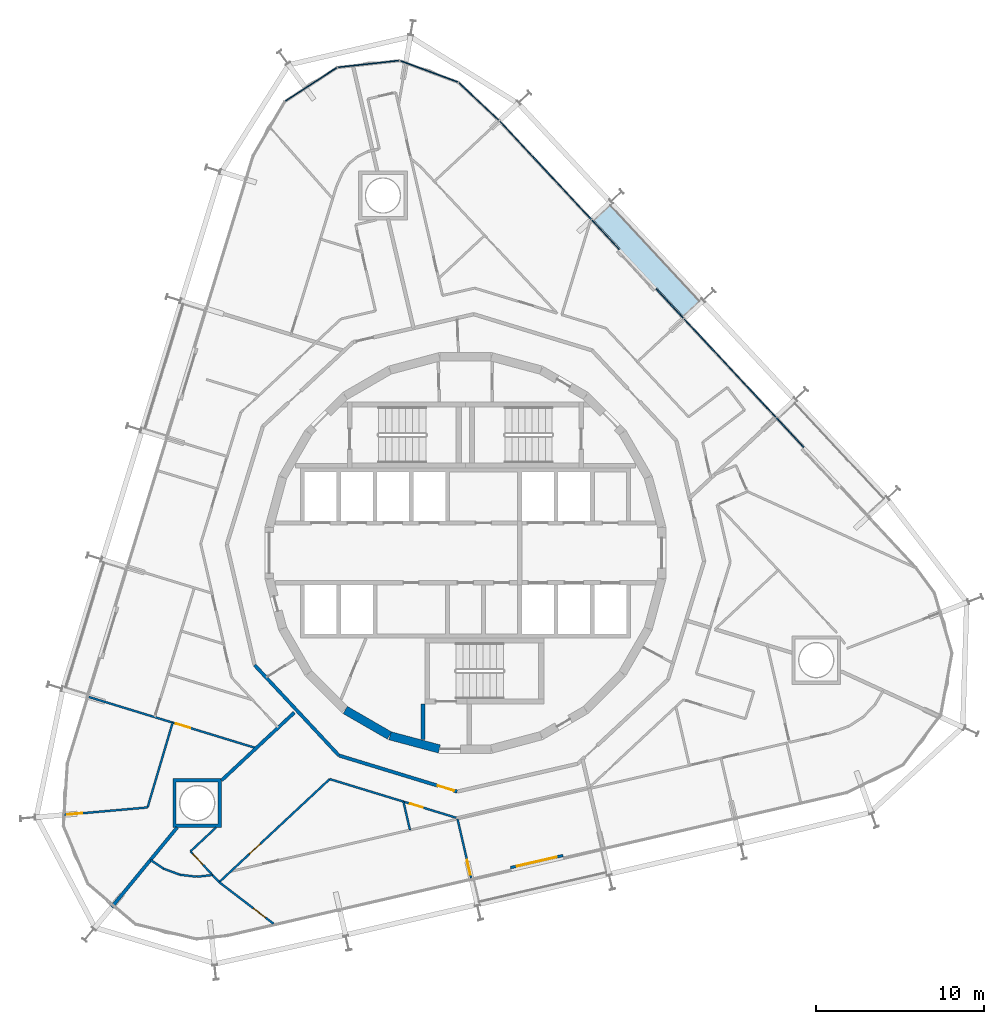
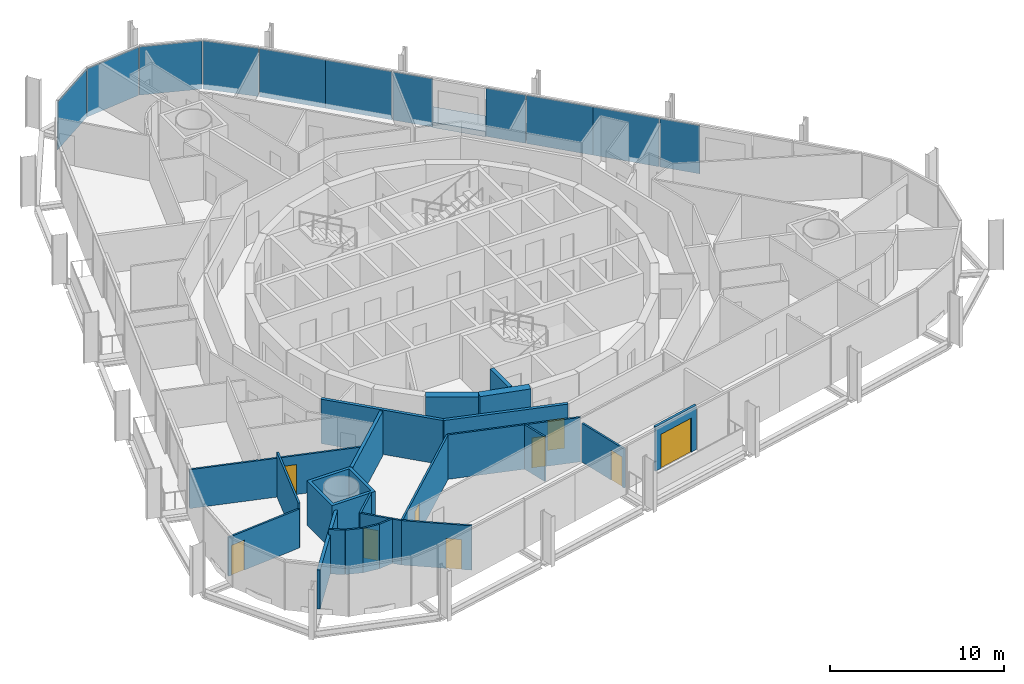
# One storey, part 11 of 18: 23 walls, 11 plates, 9 doors, 1 slab, 9 openings, 2 elements without a shape of their own.
"""IFC4 building model written with IfcOpenShell, lengths in metres."""

from ifc_helpers import new_model, si_unit, direction, frame, frame_2d, origin, origin_2d, place, context, subcontext, project, spatial, polyline, rectangle, outline, extrude, material, layer, layer_set, type_object, element, fill, aggregate, save


model = new_model("IFC4")

# Units and contexts
model_context = context("Model", 3, precision=1e-05, world=origin(), true_north=direction((0.0, 1.0)))
body_context = subcontext(model_context, "Body", "Model", "MODEL_VIEW")
ifc_project = project(units=[si_unit("LENGTHUNIT", "METRE"), si_unit("AREAUNIT", "SQUARE_METRE"), si_unit("VOLUMEUNIT", "CUBIC_METRE"), si_unit("PLANEANGLEUNIT", "RADIAN"), si_unit("MASSUNIT", "GRAM", prefix="KILO")], contexts=[model_context])

# Site, building, storey
site_placement = place(None, origin())
site = spatial("IfcSite", under=ifc_project, at=site_placement, CompositionType="ELEMENT")
building_placement = place(site_placement, origin())
building = spatial("IfcBuilding", under=site, at=building_placement, Name="Spindle Arch Residences", CompositionType="ELEMENT")
storey_placement = place(building_placement, frame((0.0, 0.0, 123.89990234375)))
storey = spatial("IfcBuildingStorey", under=building, at=storey_placement, Name="L30", CompositionType="ELEMENT", Elevation=123.89990234375)

# Slab
ifc_material_1 = material(Name="Concrete C40/50", Category="concrete")
ifc_layer_1 = layer(ifc_material_1, 0.3798828125)
ifc_layer_set_1 = layer_set([ifc_layer_1], Name="Balcony slab 380")
slab_type = type_object("IfcSlabType", Name="Balcony slab 380", PredefinedType="FLOOR", material=ifc_layer_set_1)
slab_placement = place(storey_placement, frame((0.0, 0.0, -0.3798828125)))
element("IfcSlab", 1, at=slab_placement, inside=storey, type_object=slab_type, Name="Balcony L30 bay 8", PredefinedType="FLOOR", context=body_context, shape_type="SweptSolid", body=[
    extrude(outline(polyline([(14.058837890625, 15.04248046875), (14.0078125, 15.09716796875), (13.89794921875, 14.994873046875), (8.626708984375, 20.647705078125), (8.736328125, 20.75), (8.685302734375, 20.804931640625), (7.595458984375, 19.78857421875), (9.191162109375, 18.07763671875), (9.07421875, 17.968505859375), (11.256591796875, 15.628173828125), (11.37353515625, 15.7373046875), (12.96923828125, 14.026123046875), (14.058837890625, 15.04248046875)])), origin(), (0.0, 0.0, 1.0), 0.3798828125),
])

# Curtain wall, plates
ifc_material_2 = material(Name="Aluminium bronze unitised frame with tinted glass", Category="aluminium")
ifc_layer_2 = layer(ifc_material_2, 0.159912109375)
ifc_layer_set_2 = layer_set([ifc_layer_2], Name="CW-C typical residential unitised wall")
curtain_wall_type_1 = type_object("IfcCurtainWallType", Name="CW-C typical residential unitised wall", PredefinedType="NOTDEFINED", material=ifc_layer_set_2)
curtain_wall_1_placement = place(storey_placement, origin())
curtain_wall_1 = element("IfcCurtainWall", 2, at=curtain_wall_1_placement, inside=storey, type_object=curtain_wall_type_1, Name="CW-C L30 run 2", PredefinedType="NOTDEFINED")
ifc_material_3 = material(Name="Tinted double glazing over aluminium faced non-combustible spandrel zone (K0)", Category="aluminium")
ifc_layer_3 = layer(ifc_material_3, 0.06005859375)
ifc_layer_set_3 = layer_set([ifc_layer_3], Name="Unitised glass panel with E 60 spandrel zone")
plate_type = type_object("IfcPlateType", Name="Unitised glass panel with E 60 spandrel zone", PredefinedType="CURTAIN_PANEL", material=ifc_layer_set_3)
plate_1_placement = place(storey_placement, frame((19.271240234375, 7.150634765625, -0.3798828125), z_axis=(0.0, 0.0, 1.0), x_axis=(-0.681998360062, 0.731353701619, 0.0)))
plate_1 = element("IfcPlate", 3, at=plate_1_placement, type_object=plate_type, Name="CW-C unit 05R", PredefinedType="CURTAIN_PANEL", context=body_context, shape_type="SweptSolid", body=[
    extrude(rectangle(XDim=2.384521484375, YDim=0.06005859375, at=origin_2d()), origin(), (0.0, 0.0, 1.0), 3.3798828125),
])
plate_2_placement = place(storey_placement, frame((17.05859375, 9.523681640625, -0.3798828125), z_axis=(0.0, 0.0, 1.0), x_axis=(-0.681998360062, 0.731353701619, 0.0)))
plate_2 = element("IfcPlate", 4, at=plate_2_placement, type_object=plate_type, Name="CW-C unit 06A", PredefinedType="CURTAIN_PANEL", context=body_context, shape_type="SweptSolid", body=[
    extrude(rectangle(XDim=3.984619140625, YDim=0.06005859375, at=origin_2d()), origin(), (0.0, 0.0, 1.0), 3.3798828125),
])
plate_3_placement = place(storey_placement, frame((14.341064453125, 12.437744140625, -0.3798828125), z_axis=(0.0, 0.0, 1.0), x_axis=(-0.681998360062, 0.731353701619, 0.0)))
plate_3 = element("IfcPlate", 5, at=plate_3_placement, type_object=plate_type, Name="CW-C unit 06B", PredefinedType="CURTAIN_PANEL", context=body_context, shape_type="SweptSolid", body=[
    extrude(rectangle(XDim=3.984619140625, YDim=0.06005859375, at=origin_2d()), origin(), (0.0, 0.0, 1.0), 3.3798828125),
])
plate_4_placement = place(storey_placement, frame((12.128173828125, 14.810791015625, -0.3798828125), z_axis=(0.0, 0.0, 1.0), x_axis=(-0.681998360062, 0.731353701619, 0.0)))
plate_4 = element("IfcPlate", 6, at=plate_4_placement, type_object=plate_type, Name="CW-C unit 07L", PredefinedType="CURTAIN_PANEL", context=body_context, shape_type="SweptSolid", body=[
    extrude(rectangle(XDim=2.384521484375, YDim=0.06005859375, at=origin_2d()), origin(), (0.0, 0.0, 1.0), 3.3798828125),
])
plate_5_placement = place(storey_placement, frame((8.319580078125, 18.89501953125, -0.3798828125), z_axis=(0.0, 0.0, 1.0), x_axis=(-0.681998360062, 0.731353701619, 0.0)))
plate_5 = element("IfcPlate", 7, at=plate_5_placement, type_object=plate_type, Name="CW-C unit 07R", PredefinedType="CURTAIN_PANEL", context=body_context, shape_type="SweptSolid", body=[
    extrude(rectangle(XDim=2.384521484375, YDim=0.06005859375, at=origin_2d()), origin(), (0.0, 0.0, 1.0), 3.3798828125),
])
plate_6_placement = place(storey_placement, frame((6.106689453125, 21.26806640625, -0.3798828125), z_axis=(0.0, 0.0, 1.0), x_axis=(-0.681998360062, 0.731353701619, 0.0)))
plate_6 = element("IfcPlate", 8, at=plate_6_placement, type_object=plate_type, Name="CW-C unit 08A", PredefinedType="CURTAIN_PANEL", context=body_context, shape_type="SweptSolid", body=[
    extrude(rectangle(XDim=3.984619140625, YDim=0.06005859375, at=origin_2d()), origin(), (0.0, 0.0, 1.0), 3.3798828125),
])
plate_7_placement = place(storey_placement, frame((3.38916015625, 24.18212890625, -0.3798828125), z_axis=(0.0, 0.0, 1.0), x_axis=(-0.681998360062, 0.731353701619, 0.0)))
plate_7 = element("IfcPlate", 9, at=plate_7_placement, type_object=plate_type, Name="CW-C unit 08B", PredefinedType="CURTAIN_PANEL", context=body_context, shape_type="SweptSolid", body=[
    extrude(rectangle(XDim=3.984619140625, YDim=0.06005859375, at=origin_2d()), origin(), (0.0, 0.0, 1.0), 3.3798828125),
])
aggregate(curtain_wall_1, [plate_1, plate_2, plate_3, plate_4, plate_5, plate_6, plate_7])

ifc_material_4 = material(Name="Aluminium bronze unitised frame with tinted glass", Category="aluminium")
ifc_layer_4 = layer(ifc_material_4, 0.159912109375)
ifc_layer_set_4 = layer_set([ifc_layer_4], Name="CW-D corner wall on the fillet arcs")
curtain_wall_type_2 = type_object("IfcCurtainWallType", Name="CW-D corner wall on the fillet arcs", PredefinedType="NOTDEFINED", material=ifc_layer_set_4)
curtain_wall_2_placement = place(storey_placement, origin())
curtain_wall_2 = element("IfcCurtainWall", 10, at=curtain_wall_2_placement, inside=storey, type_object=curtain_wall_type_2, Name="CW-D L30 run 3", PredefinedType="NOTDEFINED")
plate_8_placement = place(storey_placement, frame((0.794677734375, 26.8046875, -0.3798828125), z_axis=(0.0, 0.0, 1.0), x_axis=(-0.728270412102, 0.685289870681, 0.0)))
plate_8 = element("IfcPlate", 11, at=plate_8_placement, type_object=plate_type, Name="CW-D unit 00", PredefinedType="CURTAIN_PANEL", context=body_context, shape_type="SweptSolid", body=[
    extrude(rectangle(XDim=3.277587890625, YDim=0.06005859375, at=origin_2d()), origin(), (0.0, 0.0, 1.0), 3.3798828125),
])
plate_9_placement = place(storey_placement, frame((-2.16796875, 28.595703125, -0.3798828125), z_axis=(0.0, 0.0, 1.0), x_axis=(-0.937686936403, 0.347481235896, 0.0)))
plate_9 = element("IfcPlate", 12, at=plate_9_placement, type_object=plate_type, Name="CW-D unit 01", PredefinedType="CURTAIN_PANEL", context=body_context, shape_type="SweptSolid", body=[
    extrude(rectangle(XDim=3.666748046875, YDim=0.06005859375, at=origin_2d()), origin(), (0.0, 0.0, 1.0), 3.3798828125),
])
plate_10_placement = place(storey_placement, frame((-5.76708984375, 29.037841796875, -0.3798828125), z_axis=(0.0, 0.0, 1.0), x_axis=(-0.993896946294, -0.110312556619, 0.0)))
plate_10 = element("IfcPlate", 13, at=plate_10_placement, type_object=plate_type, Name="CW-D unit 02", PredefinedType="CURTAIN_PANEL", context=body_context, shape_type="SweptSolid", body=[
    extrude(rectangle(XDim=3.666748046875, YDim=0.06005859375, at=origin_2d()), origin(), (0.0, 0.0, 1.0), 3.3798828125),
])
plate_11_placement = place(storey_placement, frame((-9.181884765625, 27.8173828125, -0.3798828125), z_axis=(0.0, 0.0, 1.0), x_axis=(-0.838670567755, -0.544639035308, 0.0)))
plate_11 = element("IfcPlate", 14, at=plate_11_placement, type_object=plate_type, Name="CW-D unit 03", PredefinedType="CURTAIN_PANEL", context=body_context, shape_type="SweptSolid", body=[
    extrude(rectangle(XDim=3.666748046875, YDim=0.06005859375, at=origin_2d()), origin(), (0.0, 0.0, 1.0), 3.3798828125),
])
aggregate(curtain_wall_2, [plate_8, plate_9, plate_10, plate_11])

# Walls
ifc_material_5 = material(Name="Concrete C50/60", Category="concrete")
ifc_layer_5 = layer(ifc_material_5, 0.5)
ifc_layer_set_5 = layer_set([ifc_layer_5], Name="Core outline wall 500")
wall_type_1 = type_object("IfcWallType", Name="Core outline wall 500", PredefinedType="SHEAR", material=ifc_layer_set_5)
for number, where, z_axis, x_axis, name in (
    (15, (-7.13671875, -9.32861328125, 0.0), (0.0, 0.0, 1.0), (0.865975092491, -0.500087131594, 0.0), "Core outline wall 22"),
    (16, (-4.479248046875, -10.858154296875, 0.0), (0.0, 0.0, 1.0), (0.965948410781, -0.258734743916, 0.0), "Core outline wall 23"),
):
    element("IfcWall", number, at=place(storey_placement, frame(where, z_axis=z_axis, x_axis=x_axis)), inside=storey, type_object=wall_type_1, Name=name, PredefinedType="SHEAR", context=body_context, shape_type="SweptSolid", body=[
        extrude(rectangle(XDim=3.03271484375, YDim=0.5, at=frame_2d((1.516357421875, 0.0))), origin(), (0.0, 0.0, 1.0), 3.1201171875),
    ])
ifc_material_6 = material(Name="Calcium silicate block, plastered")
ifc_layer_6 = layer(ifc_material_6, 0.199951171875)
ifc_layer_set_6 = layer_set([ifc_layer_6], Name="Corridor wall 200")
wall_type_2 = type_object("IfcWallType", Name="Corridor wall 200", PredefinedType="STANDARD", material=ifc_layer_set_6)
wall_1_placement = place(storey_placement, frame((-12.523193359375, -6.65869140625, 0.0), z_axis=(0.0, 0.0, 1.0), x_axis=(0.682001841105, -0.731350455479, 0.0)))
element("IfcWall", 17, at=wall_1_placement, inside=storey, type_object=wall_type_2, Name="Corridor wall R3B1-W012", PredefinedType="STANDARD", context=body_context, shape_type="SweptSolid", body=[
    extrude(rectangle(XDim=7.341796875, YDim=0.199951171875, at=frame_2d((3.6708984375, 0.0))), origin(), (0.0, 0.0, 1.0), 3.1201171875),
])

# Wall, opening, door
wall_2_placement = place(storey_placement, frame((-7.51611328125, -12.028076171875, 0.0), z_axis=(0.0, 0.0, 1.0), x_axis=(0.956306642771, -0.292365533182, 0.0)))
wall_2 = element("IfcWall", 18, at=wall_2_placement, inside=storey, type_object=wall_type_2, Name="Corridor wall R3B1-W013", PredefinedType="STANDARD", context=body_context, shape_type="SweptSolid", body=[
    extrude(rectangle(XDim=7.341796875, YDim=0.199951171875, at=frame_2d((3.6708984375, 0.0))), origin(), (0.0, 0.0, 1.0), 3.1201171875),
])
opening_1_placement = place(wall_2_placement, frame((6.141845703125, 0.0, 0.0)))
opening_1 = element("IfcOpeningElement", 19, at=opening_1_placement, cuts=wall_2, Name="Opening R3B1-FD04", PredefinedType="OPENING", context=body_context, shape_type="SweptSolid", body=[
    extrude(rectangle(XDim=1.0, YDim=2.10009765625, at=frame_2d((0.5, 1.050048828125))), frame((0.0, 0.10986328125, 0.0), z_axis=(0.0, -1.0, 0.0), x_axis=(1.0, 0.0, 0.0)), (0.0, 0.0, 1.0), 0.219970703125),
])
ifc_material_7 = material(Name="Timber, fire-resisting door set", Category="wood")
door_type_1 = type_object("IfcDoorType", Name="Flat entrance door 1000x2100", OperationType="NOTDEFINED", PredefinedType="DOOR", material=ifc_material_7)
door_1_placement = place(opening_1_placement, origin())
door_1 = element("IfcDoor", 20, at=door_1_placement, inside=storey, type_object=door_type_1, Name="Flat entrance door R3B1-FD04", OperationType="SINGLE_SWING_LEFT", OverallHeight=2.10009765625, OverallWidth=1.0, PredefinedType="DOOR", context=body_context, shape_type="SweptSolid", body=[
    extrude(rectangle(XDim=1.0, YDim=2.10009765625, at=frame_2d((0.5, 1.050048828125))), frame((0.0, 0.02490234375, 0.0), z_axis=(0.0, -1.0, 0.0), x_axis=(1.0, 0.0, 0.0)), (0.0, 0.0, 1.0), 0.050048828125),
])
fill(opening_1, door_1)

# Walls
ifc_material_8 = material(Name="Plasterboard on steel studs", Category="steel")
ifc_layer_7 = layer(ifc_material_8, 0.1201171875)
ifc_layer_set_7 = layer_set([ifc_layer_7], Name="Flat partition 120")
wall_type_3 = type_object("IfcWallType", Name="Flat partition 120", PredefinedType="PARTITIONING", material=ifc_layer_set_7)
wall_3_placement = place(storey_placement, frame((-18.8779296875, -15.115234375, 0.0), z_axis=(0.0, 0.0, 1.0), x_axis=(0.283491828289, 0.95897465206, 0.0)))
element("IfcWall", 21, at=wall_3_placement, inside=storey, type_object=wall_type_3, Name="Flat partition R3B1-W071", PredefinedType="PARTITIONING", context=body_context, shape_type="SweptSolid", body=[
    extrude(rectangle(XDim=5.254150390625, YDim=0.1201171875, at=frame_2d((2.626953125, 0.0))), origin(), (0.0, 0.0, 1.0), 3.1201171875),
])
wall_4_placement = place(storey_placement, frame((-14.81005859375, -16.30517578125, 0.0), z_axis=(0.0, 0.0, 1.0), x_axis=(-0.73134426424, -0.682008480272, 0.0)))
element("IfcWall", 22, at=wall_4_placement, inside=storey, type_object=wall_type_3, Name="Flat partition R3B1-W072", PredefinedType="PARTITIONING", context=body_context, shape_type="SweptSolid", body=[
    extrude(rectangle(XDim=2.078369140625, YDim=0.1201171875, at=frame_2d((1.0390625, 0.0))), origin(), (0.0, 0.0, 1.0), 3.1201171875),
])

# Wall, opening, door
wall_5_placement = place(storey_placement, frame((-16.330078125, -17.72265625, 0.0), z_axis=(0.0, 0.0, 1.0), x_axis=(0.682018966854, -0.731334484933, 0.0)))
wall_5 = element("IfcWall", 23, at=wall_5_placement, inside=storey, type_object=wall_type_3, Name="Flat partition R3B1-W073", PredefinedType="PARTITIONING", context=body_context, shape_type="SweptSolid", body=[
    extrude(rectangle(XDim=2.5, YDim=0.1201171875, at=frame_2d((1.25, 0.0))), origin(), (0.0, 0.0, 1.0), 3.1201171875),
])
opening_2_placement = place(wall_5_placement, frame((0.199951171875, 0.0, 0.0)))
opening_2 = element("IfcOpeningElement", 24, at=opening_2_placement, cuts=wall_5, Name="Opening R3B1-ID19", PredefinedType="OPENING", context=body_context, shape_type="SweptSolid", body=[
    extrude(rectangle(XDim=0.89990234375, YDim=2.10009765625, at=frame_2d((0.449951171875, 1.050048828125))), frame((0.0, 0.070068359375, 0.0), z_axis=(0.0, -1.0, 0.0), x_axis=(1.0, 0.0, 0.0)), (0.0, 0.0, 1.0), 0.14013671875),
])
ifc_material_9 = material(Name="Timber door set", Category="wood")
door_type_2 = type_object("IfcDoorType", Name="Room door 900x2100", OperationType="NOTDEFINED", PredefinedType="DOOR", material=ifc_material_9)
door_2_placement = place(opening_2_placement, origin())
door_2 = element("IfcDoor", 25, at=door_2_placement, inside=storey, type_object=door_type_2, Name="Room door R3B1-ID19", OperationType="SINGLE_SWING_LEFT", OverallHeight=2.10009765625, OverallWidth=0.89990234375, PredefinedType="DOOR", context=body_context, shape_type="SweptSolid", body=[
    extrude(rectangle(XDim=0.89990234375, YDim=2.10009765625, at=frame_2d((0.449951171875, 1.050048828125))), frame((0.0, 0.02490234375, 0.0), z_axis=(0.0, -1.0, 0.0), x_axis=(1.0, 0.0, 0.0)), (0.0, 0.0, 1.0), 0.050048828125),
])
fill(opening_2, door_2)

wall_6_placement = place(storey_placement, frame((-14.625, -19.551025390625, 0.0), z_axis=(0.0, 0.0, 1.0), x_axis=(0.731348282704, 0.682004171091, 0.0)))
wall_6 = element("IfcWall", 26, at=wall_6_placement, inside=storey, type_object=wall_type_3, Name="Flat partition R3B1-W074", PredefinedType="PARTITIONING", context=body_context, shape_type="SweptSolid", body=[
    extrude(rectangle(XDim=8.97509765625, YDim=0.1201171875, at=frame_2d((4.487548828125, 0.0))), origin(), (0.0, 0.0, 1.0), 3.1201171875),
])
opening_3_placement = place(wall_6_placement, frame((2.4384765625, 0.0, 0.0)))
opening_3 = element("IfcOpeningElement", 27, at=opening_3_placement, cuts=wall_6, Name="Opening R3B1-ID20", PredefinedType="OPENING", context=body_context, shape_type="SweptSolid", body=[
    extrude(rectangle(XDim=0.89990234375, YDim=2.10009765625, at=frame_2d((0.449951171875, 1.050048828125))), frame((0.0, 0.070068359375, 0.0), z_axis=(0.0, -1.0, 0.0), x_axis=(1.0, 0.0, 0.0)), (0.0, 0.0, 1.0), 0.14013671875),
])
door_3_placement = place(opening_3_placement, origin())
door_3 = element("IfcDoor", 28, at=door_3_placement, inside=storey, type_object=door_type_2, Name="Room door R3B1-ID20", OperationType="SINGLE_SWING_LEFT", OverallHeight=2.10009765625, OverallWidth=0.89990234375, PredefinedType="DOOR", context=body_context, shape_type="SweptSolid", body=[
    extrude(rectangle(XDim=0.89990234375, YDim=2.10009765625, at=frame_2d((0.449951171875, 1.050048828125))), frame((0.0, 0.02490234375, 0.0), z_axis=(0.0, -1.0, 0.0), x_axis=(1.0, 0.0, 0.0)), (0.0, 0.0, 1.0), 0.050048828125),
])
fill(opening_3, door_3)

wall_7_placement = place(storey_placement, frame((-8.06103515625, -13.429931640625, 0.0), z_axis=(0.0, 0.0, 1.0), x_axis=(0.956302336653, -0.292379617814, 0.0)))
wall_7 = element("IfcWall", 29, at=wall_7_placement, inside=storey, type_object=wall_type_3, Name="Flat partition R3B1-W075", PredefinedType="PARTITIONING", context=body_context, shape_type="SweptSolid", body=[
    extrude(rectangle(XDim=7.85498046875, YDim=0.1201171875, at=frame_2d((3.927490234375, 0.0))), origin(), (0.0, 0.0, 1.0), 3.1201171875),
])
opening_4_placement = place(wall_7_placement, frame((4.978515625, 0.0, 0.0)))
opening_4 = element("IfcOpeningElement", 30, at=opening_4_placement, cuts=wall_7, Name="Opening R3B1-BD05", PredefinedType="OPENING", context=body_context, shape_type="SweptSolid", body=[
    extrude(rectangle(XDim=0.800048828125, YDim=2.10009765625, at=frame_2d((0.39990234375, 1.050048828125))), frame((0.0, 0.070068359375, 0.0), z_axis=(0.0, -1.0, 0.0), x_axis=(1.0, 0.0, 0.0)), (0.0, 0.0, 1.0), 0.14013671875),
])
ifc_material_10 = material(Name="Timber door set", Category="wood")
door_type_3 = type_object("IfcDoorType", Name="Bathroom door 800x2100", OperationType="NOTDEFINED", PredefinedType="DOOR", material=ifc_material_10)
door_4_placement = place(opening_4_placement, origin())
door_4 = element("IfcDoor", 31, at=door_4_placement, inside=storey, type_object=door_type_3, Name="Bathroom door R3B1-BD05", OperationType="SINGLE_SWING_LEFT", OverallHeight=2.10009765625, OverallWidth=0.800048828125, PredefinedType="DOOR", context=body_context, shape_type="SweptSolid", body=[
    extrude(rectangle(XDim=0.800048828125, YDim=2.10009765625, at=frame_2d((0.39990234375, 1.050048828125))), frame((0.0, 0.02490234375, 0.0), z_axis=(0.0, -1.0, 0.0), x_axis=(1.0, 0.0, 0.0)), (0.0, 0.0, 1.0), 0.050048828125),
])
fill(opening_4, door_4)

# Walls
wall_8_placement = place(storey_placement, frame((-18.703125, -18.22998046875, 0.0), z_axis=(0.0, 0.0, 1.0), x_axis=(0.832328473933, -0.554282699965, 0.0)))
element("IfcWall", 32, at=wall_8_placement, inside=storey, type_object=wall_type_3, Name="Flat partition R3B1-W077", PredefinedType="PARTITIONING", context=body_context, shape_type="SweptSolid", body=[
    extrude(rectangle(XDim=0.94482421875, YDim=0.1201171875, at=frame_2d((0.472412109375, 0.0))), origin(), (0.0, 0.0, 1.0), 3.1201171875),
])
wall_9_placement = place(storey_placement, frame((-17.916748046875, -18.753662109375, 0.0), z_axis=(0.0, 0.0, 1.0), x_axis=(0.937684971769, -0.347486537462, 0.0)))
element("IfcWall", 33, at=wall_9_placement, inside=storey, type_object=wall_type_3, Name="Flat partition R3B1-W078", PredefinedType="PARTITIONING", context=body_context, shape_type="SweptSolid", body=[
    extrude(rectangle(XDim=1.015869140625, YDim=0.1201171875, at=frame_2d((0.5078125, 0.0))), origin(), (0.0, 0.0, 1.0), 3.1201171875),
])
wall_10_placement = place(storey_placement, frame((-16.964111328125, -19.106689453125, 0.0), z_axis=(0.0, 0.0, 1.0), x_axis=(0.992523553766, -0.122053247474, 0.0)))
element("IfcWall", 34, at=wall_10_placement, inside=storey, type_object=wall_type_3, Name="Flat partition R3B1-W079", PredefinedType="PARTITIONING", context=body_context, shape_type="SweptSolid", body=[
    extrude(rectangle(XDim=1.01611328125, YDim=0.1201171875, at=frame_2d((0.508056640625, 0.0))), origin(), (0.0, 0.0, 1.0), 3.1201171875),
])
wall_11_placement = place(storey_placement, frame((-15.95556640625, -19.230712890625, 0.0), z_axis=(0.0, 0.0, 1.0), x_axis=(0.993867897435, 0.110573968218, 0.0)))
element("IfcWall", 35, at=wall_11_placement, inside=storey, type_object=wall_type_3, Name="Flat partition R3B1-W080", PredefinedType="PARTITIONING", context=body_context, shape_type="SweptSolid", body=[
    extrude(rectangle(XDim=0.940673828125, YDim=0.1201171875, at=frame_2d((0.47021484375, 0.0))), origin(), (0.0, 0.0, 1.0), 3.1201171875),
])

# Wall, opening, door
wall_12_placement = place(storey_placement, frame((-11.397216796875, -22.01904296875, 0.0), z_axis=(0.0, 0.0, 1.0), x_axis=(-0.794391941464, 0.60740550157, 0.0)))
wall_12 = element("IfcWall", 36, at=wall_12_placement, inside=storey, type_object=wall_type_3, Name="Flat partition R3B1-W081", PredefinedType="PARTITIONING", context=body_context, shape_type="SweptSolid", body=[
    extrude(rectangle(XDim=4.063232421875, YDim=0.1201171875, at=frame_2d((2.03173828125, 0.0))), origin(), (0.0, 0.0, 1.0), 3.1201171875),
])
opening_5_placement = place(wall_12_placement, frame((0.60009765625, 0.0, 0.0)))
opening_5 = element("IfcOpeningElement", 37, at=opening_5_placement, cuts=wall_12, Name="Opening R3B1-ID22", PredefinedType="OPENING", context=body_context, shape_type="SweptSolid", body=[
    extrude(rectangle(XDim=0.89990234375, YDim=2.10009765625, at=frame_2d((0.449951171875, 1.050048828125))), frame((0.0, 0.070068359375, 0.0), z_axis=(0.0, -1.0, 0.0), x_axis=(1.0, 0.0, 0.0)), (0.0, 0.0, 1.0), 0.14013671875),
])
door_5_placement = place(opening_5_placement, origin())
door_5 = element("IfcDoor", 38, at=door_5_placement, inside=storey, type_object=door_type_2, Name="Room door R3B1-ID22", OperationType="SINGLE_SWING_LEFT", OverallHeight=2.10009765625, OverallWidth=0.89990234375, PredefinedType="DOOR", context=body_context, shape_type="SweptSolid", body=[
    extrude(rectangle(XDim=0.89990234375, YDim=2.10009765625, at=frame_2d((0.449951171875, 1.050048828125))), frame((0.0, 0.02490234375, 0.0), z_axis=(0.0, -1.0, 0.0), x_axis=(1.0, 0.0, 0.0)), (0.0, 0.0, 1.0), 0.050048828125),
])
fill(opening_5, door_5)

# Wall
wall_13_placement = place(storey_placement, frame((-3.293701171875, -16.45361328125, 0.0), z_axis=(0.0, 0.0, 1.0), x_axis=(-0.224890438003, 0.974384057184, 0.0)))
element("IfcWall", 39, at=wall_13_placement, inside=storey, type_object=wall_type_3, Name="Flat partition R3B1-W083", PredefinedType="PARTITIONING", context=body_context, shape_type="SweptSolid", body=[
    extrude(rectangle(XDim=1.729248046875, YDim=0.1201171875, at=frame_2d((0.86474609375, 0.0))), origin(), (0.0, 0.0, 1.0), 3.1201171875),
])

# Wall, opening, door
ifc_material_11 = material(Name="Plasterboard on steel studs", Category="steel")
ifc_layer_8 = layer(ifc_material_11, 0.1201171875)
ifc_layer_set_8 = layer_set([ifc_layer_8], Name="Flat partition 120 under beam 2730")
wall_type_4 = type_object("IfcWallType", Name="Flat partition 120 under beam 2730", PredefinedType="PARTITIONING", material=ifc_layer_set_8)
wall_14_placement = place(storey_placement, frame((-22.369140625, -8.5537109375, 0.0), z_axis=(0.0, 0.0, 1.0), x_axis=(0.956298667533, -0.292391618339, 0.0)))
wall_14 = element("IfcWall", 40, at=wall_14_placement, inside=storey, type_object=wall_type_4, Name="Flat partition R3B1-W067", PredefinedType="PARTITIONING", context=body_context, shape_type="SweptSolid", body=[
    extrude(rectangle(XDim=10.39208984375, YDim=0.1201171875, at=frame_2d((5.196044921875, 0.0))), origin(), (0.0, 0.0, 1.0), 2.72998046875),
])
opening_6_placement = place(wall_14_placement, frame((5.408447265625, 0.0, 0.0)))
opening_6 = element("IfcOpeningElement", 41, at=opening_6_placement, cuts=wall_14, Name="Opening R3B1-ID17", PredefinedType="OPENING", context=body_context, shape_type="SweptSolid", body=[
    extrude(rectangle(XDim=0.89990234375, YDim=2.10009765625, at=frame_2d((0.449951171875, 1.050048828125))), frame((0.0, 0.070068359375, 0.0), z_axis=(0.0, -1.0, 0.0), x_axis=(1.0, 0.0, 0.0)), (0.0, 0.0, 1.0), 0.14013671875),
])
door_6_placement = place(opening_6_placement, origin())
door_6 = element("IfcDoor", 42, at=door_6_placement, inside=storey, type_object=door_type_2, Name="Room door R3B1-ID17", OperationType="SINGLE_SWING_RIGHT", OverallHeight=2.10009765625, OverallWidth=0.89990234375, PredefinedType="DOOR", context=body_context, shape_type="SweptSolid", body=[
    extrude(rectangle(XDim=0.89990234375, YDim=2.10009765625, at=frame_2d((0.449951171875, 1.050048828125))), frame((0.0, 0.02490234375, 0.0), z_axis=(0.0, -1.0, 0.0), x_axis=(1.0, 0.0, 0.0)), (0.0, 0.0, 1.0), 0.050048828125),
])
fill(opening_6, door_6)

wall_15_placement = place(storey_placement, frame((-23.850341796875, -15.55419921875, 0.0), z_axis=(0.0, 0.0, 1.0), x_axis=(0.996125944733, 0.087938059048, 0.0)))
wall_15 = element("IfcWall", 43, at=wall_15_placement, inside=storey, type_object=wall_type_4, Name="Flat partition R3B1-W070", PredefinedType="PARTITIONING", context=body_context, shape_type="SweptSolid", body=[
    extrude(rectangle(XDim=4.99169921875, YDim=0.1201171875, at=frame_2d((2.495849609375, 0.0))), origin(), (0.0, 0.0, 1.0), 2.72998046875),
])
opening_7_placement = place(wall_15_placement, frame((0.199951171875, 0.0, 0.0)))
opening_7 = element("IfcOpeningElement", 44, at=opening_7_placement, cuts=wall_15, Name="Opening R3B1-ID18", PredefinedType="OPENING", context=body_context, shape_type="SweptSolid", body=[
    extrude(rectangle(XDim=0.89990234375, YDim=2.10009765625, at=frame_2d((0.449951171875, 1.050048828125))), frame((0.0, 0.070068359375, 0.0), z_axis=(0.0, -1.0, 0.0), x_axis=(1.0, 0.0, 0.0)), (0.0, 0.0, 1.0), 0.14013671875),
])
door_7_placement = place(opening_7_placement, origin())
door_7 = element("IfcDoor", 45, at=door_7_placement, inside=storey, type_object=door_type_2, Name="Room door R3B1-ID18", OperationType="SINGLE_SWING_LEFT", OverallHeight=2.10009765625, OverallWidth=0.89990234375, PredefinedType="DOOR", context=body_context, shape_type="SweptSolid", body=[
    extrude(rectangle(XDim=0.89990234375, YDim=2.10009765625, at=frame_2d((0.449951171875, 1.050048828125))), frame((0.0, 0.02490234375, 0.0), z_axis=(0.0, -1.0, 0.0), x_axis=(1.0, 0.0, 0.0)), (0.0, 0.0, 1.0), 0.050048828125),
])
fill(opening_7, door_7)

wall_16_placement = place(storey_placement, frame((0.337890625, -19.309814453125, 0.0), z_axis=(0.0, 0.0, 1.0), x_axis=(-0.224943703639, 0.9743717618, 0.0)))
wall_16 = element("IfcWall", 46, at=wall_16_placement, inside=storey, type_object=wall_type_4, Name="Flat partition R3B1-W084", PredefinedType="PARTITIONING", context=body_context, shape_type="SweptSolid", body=[
    extrude(rectangle(XDim=3.60009765625, YDim=0.1201171875, at=frame_2d((1.800048828125, 0.0))), origin(), (0.0, 0.0, 1.0), 2.72998046875),
])
opening_8_placement = place(wall_16_placement, frame((0.199951171875, 0.0, 0.0)))
opening_8 = element("IfcOpeningElement", 47, at=opening_8_placement, cuts=wall_16, Name="Opening R3B1-ID23", PredefinedType="OPENING", context=body_context, shape_type="SweptSolid", body=[
    extrude(rectangle(XDim=0.89990234375, YDim=2.10009765625, at=frame_2d((0.449951171875, 1.050048828125))), frame((0.0, 0.070068359375, 0.0), z_axis=(0.0, -1.0, 0.0), x_axis=(1.0, 0.0, 0.0)), (0.0, 0.0, 1.0), 0.14013671875),
])
door_8_placement = place(opening_8_placement, origin())
door_8 = element("IfcDoor", 48, at=door_8_placement, inside=storey, type_object=door_type_2, Name="Room door R3B1-ID23", OperationType="SINGLE_SWING_RIGHT", OverallHeight=2.10009765625, OverallWidth=0.89990234375, PredefinedType="DOOR", context=body_context, shape_type="SweptSolid", body=[
    extrude(rectangle(XDim=0.89990234375, YDim=2.10009765625, at=frame_2d((0.449951171875, 1.050048828125))), frame((0.0, 0.02490234375, 0.0), z_axis=(0.0, -1.0, 0.0), x_axis=(1.0, 0.0, 0.0)), (0.0, 0.0, 1.0), 0.050048828125),
])
fill(opening_8, door_8)

# Walls
ifc_material_12 = material(Name="Calcium silicate block, plastered")
ifc_layer_9 = layer(ifc_material_12, 0.199951171875)
ifc_layer_set_9 = layer_set([ifc_layer_9], Name="Flat party wall 200")
wall_type_5 = type_object("IfcWallType", Name="Flat party wall 200", PredefinedType="STANDARD", material=ifc_layer_set_9)
wall_17_placement = place(storey_placement, frame((-14.4794921875, -13.50390625, 0.0), z_axis=(0.0, 0.0, 1.0), x_axis=(0.731329393611, 0.682024426278, 0.0)))
element("IfcWall", 49, at=wall_17_placement, inside=storey, type_object=wall_type_5, Name="Flat party wall R3B1-W020", PredefinedType="STANDARD", context=body_context, shape_type="SweptSolid", body=[
    extrude(rectangle(XDim=5.892333984375, YDim=0.199951171875, at=frame_2d((2.9462890625, 0.0))), origin(), (0.0, 0.0, 1.0), 3.1201171875),
])
ifc_material_13 = material(Name="Calcium silicate block, plastered")
ifc_layer_10 = layer(ifc_material_13, 0.199951171875)
ifc_layer_set_10 = layer_set([ifc_layer_10], Name="Flat party wall 200 under beam 2730")
wall_type_6 = type_object("IfcWallType", Name="Flat party wall 200 under beam 2730", PredefinedType="STANDARD", material=ifc_layer_set_10)
wall_18_placement = place(storey_placement, frame((-21.0, -21.025390625, 0.0), z_axis=(0.0, 0.0, 1.0), x_axis=(0.634846795952, 0.772638043116, 0.0)))
element("IfcWall", 50, at=wall_18_placement, inside=storey, type_object=wall_type_6, Name="Flat party wall R3B1-W021", PredefinedType="STANDARD", context=body_context, shape_type="SweptSolid", body=[
    extrude(rectangle(XDim=6.109130859375, YDim=0.199951171875, at=frame_2d((3.0546875, 0.0))), origin(), (0.0, 0.0, 1.0), 2.72998046875),
])

# Wall, opening, door
ifc_material_14 = material(Name="Non-combustible mineral wool insulated aluminium faced external wall (K0)", Category="aluminium")
ifc_layer_11 = layer(ifc_material_14, 0.159912109375)
ifc_layer_set_11 = layer_set([ifc_layer_11], Name="Insulated external wall panel 160")
wall_type_7 = type_object("IfcWallType", Name="Insulated external wall panel 160", PredefinedType="STANDARD", material=ifc_layer_set_11)
wall_19_placement = place(storey_placement, frame((2.672607421875, -18.688720703125, 0.0), z_axis=(0.0, 0.0, 1.0), x_axis=(0.974360325718, 0.224993234715, 0.0)))
wall_19 = element("IfcWall", 51, at=wall_19_placement, inside=storey, type_object=wall_type_7, Name="External wall L30 bay 22", PredefinedType="STANDARD", context=body_context, shape_type="SweptSolid", body=[
    extrude(rectangle(XDim=3.199951171875, YDim=0.159912109375, at=frame_2d((1.60009765625, 0.0))), origin(), (0.0, 0.0, 1.0), 3.1201171875),
])
opening_9_placement = place(wall_19_placement, frame((0.39990234375, 0.0, 0.0)))
opening_9 = element("IfcOpeningElement", 52, at=opening_9_placement, cuts=wall_19, Name="Opening BD22", PredefinedType="OPENING", context=body_context, shape_type="SweptSolid", body=[
    extrude(rectangle(XDim=2.39990234375, YDim=2.39990234375, at=frame_2d((1.199951171875, 1.199951171875))), frame((0.0, 0.08984375, 0.0), z_axis=(0.0, -1.0, 0.0), x_axis=(1.0, 0.0, 0.0)), (0.0, 0.0, 1.0), 0.179931640625),
])
ifc_material_15 = material(Name="Bronze aluminium frame, tinted double glazing", Category="aluminium")
door_type_4 = type_object("IfcDoorType", Name="Sliding glazed balcony door 2400x2400", OperationType="DOUBLE_DOOR_SLIDING", PredefinedType="DOOR", material=ifc_material_15)
door_9_placement = place(opening_9_placement, origin())
door_9 = element("IfcDoor", 53, at=door_9_placement, inside=storey, type_object=door_type_4, Name="Balcony door BD22", OperationType="DOUBLE_DOOR_SLIDING", OverallHeight=2.39990234375, OverallWidth=2.39990234375, PredefinedType="DOOR", context=body_context, shape_type="SweptSolid", body=[
    extrude(rectangle(XDim=2.39990234375, YDim=2.39990234375, at=frame_2d((1.199951171875, 1.199951171875))), frame((0.0, 0.02490234375, 0.0), z_axis=(0.0, -1.0, 0.0), x_axis=(1.0, 0.0, 0.0)), (0.0, 0.0, 1.0), 0.050048828125),
])
fill(opening_9, door_9)

# Walls
ifc_material_16 = material(Name="Calcium silicate block, plastered")
ifc_layer_12 = layer(ifc_material_16, 0.199951171875)
ifc_layer_set_12 = layer_set([ifc_layer_12], Name="Mega-column casing wall 200")
wall_type_8 = type_object("IfcWallType", Name="Mega-column casing wall 200", PredefinedType="STANDARD", material=ifc_layer_set_12)
wall_20_placement = place(storey_placement, origin())
element("IfcWall", 54, at=wall_20_placement, inside=storey, type_object=wall_type_8, Name="Mega-column casing wall R3B1-WC02", PredefinedType="STANDARD", context=body_context, shape_type="SweptSolid", body=[
    extrude(outline(polyline([(-14.480224609375, -13.4052734375), (-14.480224609375, -16.30517578125), (-17.380126953125, -16.30517578125), (-17.380126953125, -13.4052734375), (-14.480224609375, -13.4052734375)]), holes=[polyline([(-17.18017578125, -16.105224609375), (-14.68017578125, -16.105224609375), (-14.68017578125, -13.605224609375), (-17.18017578125, -13.605224609375), (-17.18017578125, -16.105224609375)])]), origin(), (0.0, 0.0, 1.0), 3.1201171875),
])
ifc_material_17 = material(Name="Concrete C40/50", Category="concrete")
ifc_layer_13 = layer(ifc_material_17, 0.25)
ifc_layer_set_13 = layer_set([ifc_layer_13], Name="Stair airlock wall 250")
wall_type_9 = type_object("IfcWallType", Name="Stair airlock wall 250", PredefinedType="SHEAR", material=ifc_layer_set_13)
wall_21_placement = place(storey_placement, frame((-2.52490234375, -8.969970703125, 0.0), z_axis=(0.0, 0.0, 1.0), x_axis=(0.0, -1.0, 0.0)))
element("IfcWall", 55, at=wall_21_placement, inside=storey, type_object=wall_type_9, Name="Stair ST-3 airlock wall W", PredefinedType="SHEAR", context=body_context, shape_type="SweptSolid", body=[
    extrude(rectangle(XDim=2.110107421875, YDim=0.25, at=frame_2d((1.05517578125, 0.0))), origin(), (0.0, 0.0, 1.0), 3.1201171875),
])

save(model, "model.ifc")
